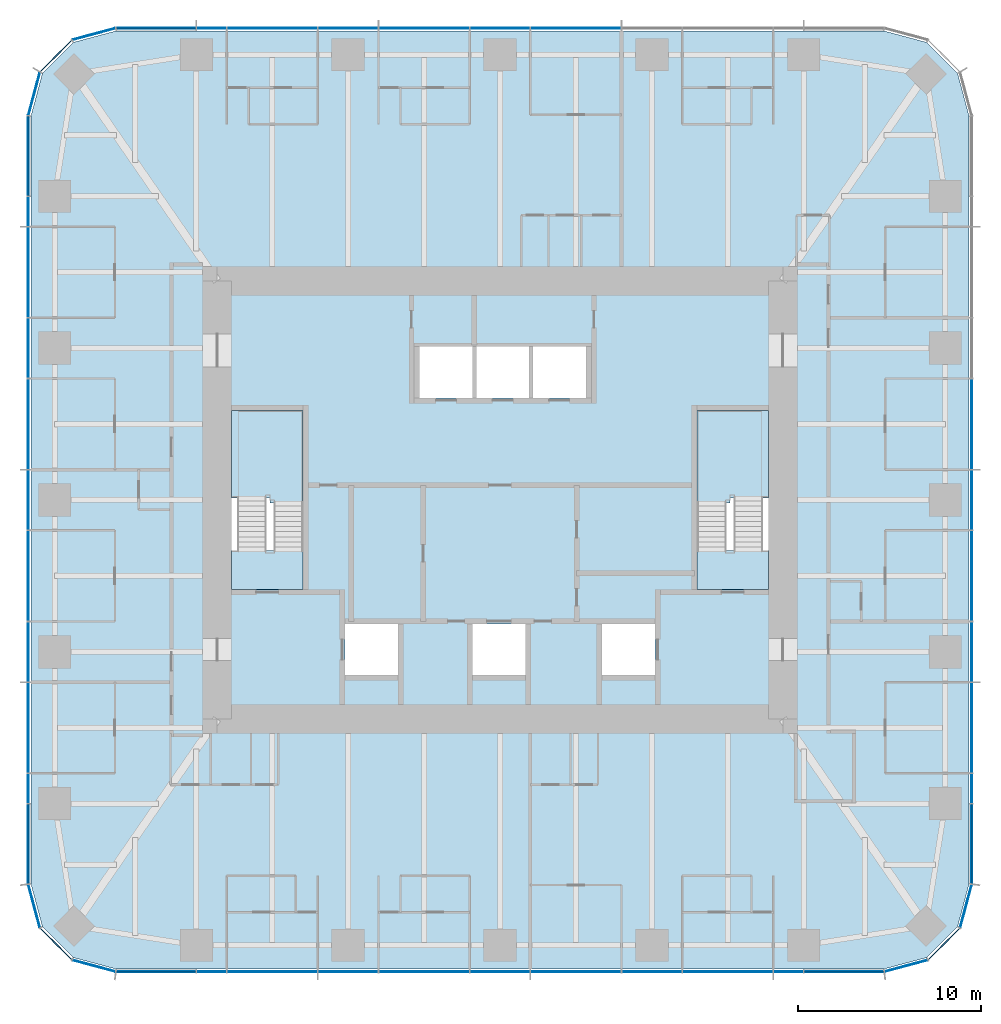
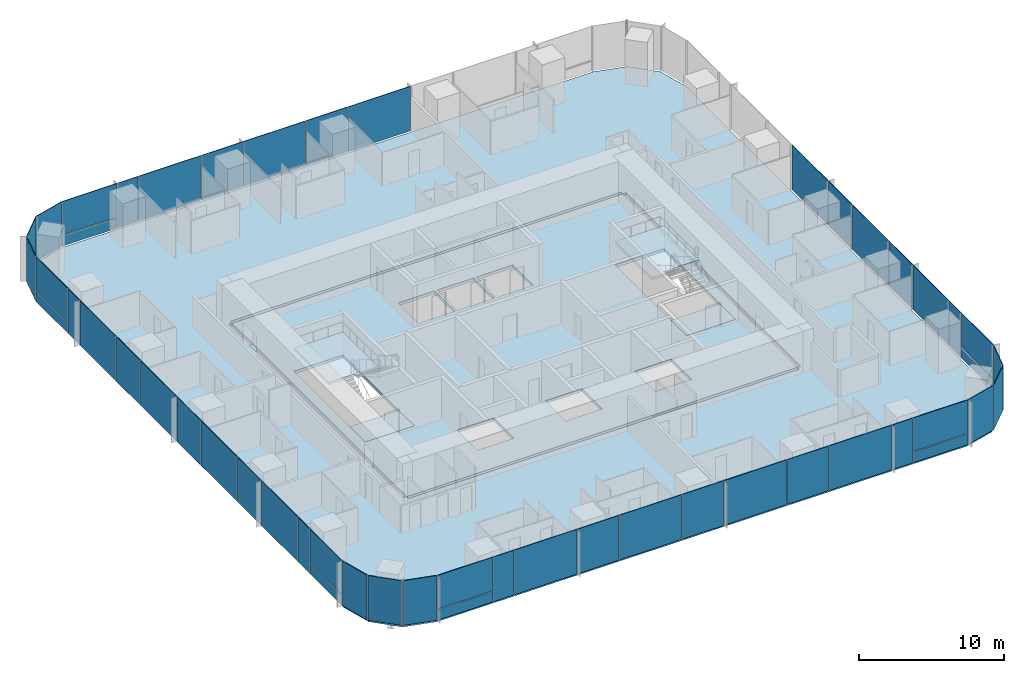
# One storey, part 7 of 13: 51 plates, 6 slabs, 9 elements without a shape of their own.
"""IFC4 building model written with IfcOpenShell, lengths in metres."""

from ifc_helpers import new_model, si_unit, direction, frame, origin, origin_2d, place, context, subcontext, project, spatial, polyline, rectangle, outline, extrude, material, layer, layer_set, type_object, element, aggregate, save


model = new_model("IFC4")

# Units and contexts
model_context = context("Model", 3, precision=1e-05, world=origin(), true_north=direction((0.0, 1.0)))
body_context = subcontext(model_context, "Body", "Model", "MODEL_VIEW")
ifc_project = project(units=[si_unit("LENGTHUNIT", "METRE"), si_unit("AREAUNIT", "SQUARE_METRE"), si_unit("VOLUMEUNIT", "CUBIC_METRE"), si_unit("PLANEANGLEUNIT", "RADIAN"), si_unit("MASSUNIT", "GRAM", prefix="KILO")], contexts=[model_context])

# Site, building, storey
site_placement = place(None, origin())
site = spatial("IfcSite", under=ifc_project, at=site_placement, CompositionType="ELEMENT")
building_placement = place(site_placement, origin())
building = spatial("IfcBuilding", under=site, at=building_placement, Name="Khuree Lantern Residences", CompositionType="ELEMENT")
storey_placement = place(building_placement, frame((0.0, 0.0, 252.0)))
storey = spatial("IfcBuildingStorey", under=building, at=storey_placement, Name="L63", CompositionType="ELEMENT", Elevation=252.0)

# Slab
ifc_material_1 = material(Name="Concrete C35/45", Category="concrete")
ifc_layer_1 = layer(ifc_material_1, 0.25)
ifc_layer_set_1 = layer_set([ifc_layer_1], Name="CFL250 CORE FLOOR SLAB 250")
slab_type_1 = type_object("IfcSlabType", Name="CFL250 CORE FLOOR SLAB 250", PredefinedType="FLOOR", material=ifc_layer_set_1)
slab_1_placement = place(storey_placement, frame((0.0, 0.0, -0.25)))
element("IfcSlab", 1, at=slab_1_placement, inside=storey, type_object=slab_type_1, Name="Core floor L63", PredefinedType="FLOOR", context=body_context, shape_type="SweptSolid", body=[
    extrude(outline(polyline([(-15.5, -12.0), (-15.5, 12.0), (15.5, 12.0), (15.5, -12.0), (-15.5, -12.0)]), holes=[polyline([(10.800048828125, 4.89990234375), (10.800048828125, -4.89990234375), (14.699951171875, -4.89990234375), (14.699951171875, 4.89990234375), (10.800048828125, 4.89990234375)]), polyline([(5.60009765625, -6.800048828125), (5.60009765625, -9.60009765625), (8.5, -9.60009765625), (8.5, -6.800048828125), (5.60009765625, -6.800048828125)]), polyline([(1.800048828125, 8.39990234375), (1.800048828125, 5.60009765625), (4.699951171875, 5.60009765625), (4.699951171875, 8.39990234375), (1.800048828125, 8.39990234375)]), polyline([(-1.300048828125, 8.39990234375), (-1.300048828125, 5.60009765625), (1.60009765625, 5.60009765625), (1.60009765625, 8.39990234375), (-1.300048828125, 8.39990234375)]), polyline([(-1.5, -6.800048828125), (-1.5, -9.60009765625), (1.39990234375, -9.60009765625), (1.39990234375, -6.800048828125), (-1.5, -6.800048828125)]), polyline([(-4.39990234375, 8.39990234375), (-4.39990234375, 5.60009765625), (-1.5, 5.60009765625), (-1.5, 8.39990234375), (-4.39990234375, 8.39990234375)]), polyline([(-8.5, -6.800048828125), (-8.5, -9.60009765625), (-5.60009765625, -9.60009765625), (-5.60009765625, -6.800048828125), (-8.5, -6.800048828125)]), polyline([(-14.699951171875, 4.89990234375), (-14.699951171875, -4.89990234375), (-10.800048828125, -4.89990234375), (-10.800048828125, 4.89990234375), (-14.699951171875, 4.89990234375)])]), origin(), (0.0, 0.0, 1.0), 0.25),
])

# Curtain wall, plates
ifc_material_2 = material(Name="Bronze anodised aluminium", Category="aluminium")
curtain_wall_type_1 = type_object("IfcCurtainWallType", Name="CW-T2 TOWER CORNER CURTAIN WALL", PredefinedType="USERDEFINED", material=ifc_material_2)
curtain_wall_1_placement = place(storey_placement, origin())
curtain_wall_1 = element("IfcCurtainWall", 2, at=curtain_wall_1_placement, inside=storey, type_object=curtain_wall_type_1, Name="L63 SOUTH-EAST CORNER CURTAIN WALL", ObjectType="Faceted corner curtain wall", PredefinedType="USERDEFINED")
ifc_material_3 = material(Name="Bronze tinted triple glazing", Category="glass")
ifc_layer_2 = layer(ifc_material_3, 0.048095703125)
ifc_layer_set_2 = layer_set([ifc_layer_2], Name="FACET PANEL P4")
plate_type_1 = type_object("IfcPlateType", Name="FACET PANEL P4", PredefinedType="CURTAIN_PANEL", material=ifc_layer_set_2)
plate_1_placement = place(storey_placement, frame((22.248046875, -25.529052734375, 0.0), z_axis=(0.0, 0.0, 1.0), x_axis=(0.965925832509, 0.258819021888, 0.0)))
plate_1 = element("IfcPlate", 3, at=plate_1_placement, type_object=plate_type_1, Name="L63 SOUTH-EAST CORNER PANEL 1.1", PredefinedType="CURTAIN_PANEL", context=body_context, shape_type="SweptSolid", body=[
    extrude(rectangle(XDim=2.40869140625, YDim=0.048095703125, at=origin_2d()), origin(), (0.0, 0.0, 1.0), 3.75),
])
plate_2_placement = place(storey_placement, frame((24.328369140625, -24.328369140625, 0.0), z_axis=(0.0, 0.0, 1.0), x_axis=(0.707106781187, 0.707106781187, 0.0)))
plate_2 = element("IfcPlate", 4, at=plate_2_placement, type_object=plate_type_1, Name="L63 SOUTH-EAST CORNER PANEL 2.1", PredefinedType="CURTAIN_PANEL", context=body_context, shape_type="SweptSolid", body=[
    extrude(rectangle(XDim=2.404541015625, YDim=0.048095703125, at=origin_2d()), origin(), (0.0, 0.0, 1.0), 3.75),
])
plate_3_placement = place(storey_placement, frame((25.529052734375, -22.248046875, 0.0), z_axis=(0.0, 0.0, 1.0), x_axis=(0.258819021888, 0.965925832509, 0.0)))
plate_3 = element("IfcPlate", 5, at=plate_3_placement, type_object=plate_type_1, Name="L63 SOUTH-EAST CORNER PANEL 3.1", PredefinedType="CURTAIN_PANEL", context=body_context, shape_type="SweptSolid", body=[
    extrude(rectangle(XDim=2.40869140625, YDim=0.048095703125, at=origin_2d()), origin(), (0.0, 0.0, 1.0), 3.75),
])
aggregate(curtain_wall_1, [plate_1, plate_2, plate_3])

curtain_wall_2_placement = place(storey_placement, origin())
curtain_wall_2 = element("IfcCurtainWall", 6, at=curtain_wall_2_placement, inside=storey, type_object=curtain_wall_type_1, Name="L63 NORTH-WEST CORNER CURTAIN WALL", ObjectType="Faceted corner curtain wall", PredefinedType="USERDEFINED")
plate_4_placement = place(storey_placement, frame((-22.248046875, 25.529052734375, 0.0), z_axis=(0.0, 0.0, 1.0), x_axis=(-0.965925832509, -0.258819021888, 0.0)))
plate_4 = element("IfcPlate", 7, at=plate_4_placement, type_object=plate_type_1, Name="L63 NORTH-WEST CORNER PANEL 29.1", PredefinedType="CURTAIN_PANEL", context=body_context, shape_type="SweptSolid", body=[
    extrude(rectangle(XDim=2.40869140625, YDim=0.048095703125, at=origin_2d()), origin(), (0.0, 0.0, 1.0), 3.75),
])
plate_5_placement = place(storey_placement, frame((-24.328369140625, 24.328369140625, 0.0), z_axis=(0.0, 0.0, 1.0), x_axis=(-0.707106781187, -0.707106781187, 0.0)))
plate_5 = element("IfcPlate", 8, at=plate_5_placement, type_object=plate_type_1, Name="L63 NORTH-WEST CORNER PANEL 30.1", PredefinedType="CURTAIN_PANEL", context=body_context, shape_type="SweptSolid", body=[
    extrude(rectangle(XDim=2.404541015625, YDim=0.048095703125, at=origin_2d()), origin(), (0.0, 0.0, 1.0), 3.75),
])
plate_6_placement = place(storey_placement, frame((-25.529052734375, 22.248046875, 0.0), z_axis=(0.0, 0.0, 1.0), x_axis=(-0.258819021888, -0.965925832509, 0.0)))
plate_6 = element("IfcPlate", 9, at=plate_6_placement, type_object=plate_type_1, Name="L63 NORTH-WEST CORNER PANEL 31.1", PredefinedType="CURTAIN_PANEL", context=body_context, shape_type="SweptSolid", body=[
    extrude(rectangle(XDim=2.40869140625, YDim=0.048095703125, at=origin_2d()), origin(), (0.0, 0.0, 1.0), 3.75),
])
aggregate(curtain_wall_2, [plate_4, plate_5, plate_6])

curtain_wall_3_placement = place(storey_placement, origin())
curtain_wall_3 = element("IfcCurtainWall", 10, at=curtain_wall_3_placement, inside=storey, type_object=curtain_wall_type_1, Name="L63 SOUTH-WEST CORNER CURTAIN WALL", ObjectType="Faceted corner curtain wall", PredefinedType="USERDEFINED")
plate_7_placement = place(storey_placement, frame((-25.529052734375, -22.248046875, 0.0), z_axis=(0.0, 0.0, 1.0), x_axis=(0.258819021888, -0.965925832509, 0.0)))
plate_7 = element("IfcPlate", 11, at=plate_7_placement, type_object=plate_type_1, Name="L63 SOUTH-WEST CORNER PANEL 43.1", PredefinedType="CURTAIN_PANEL", context=body_context, shape_type="SweptSolid", body=[
    extrude(rectangle(XDim=2.40869140625, YDim=0.048095703125, at=origin_2d()), origin(), (0.0, 0.0, 1.0), 3.75),
])
plate_8_placement = place(storey_placement, frame((-24.328369140625, -24.328369140625, 0.0), z_axis=(0.0, 0.0, 1.0), x_axis=(0.707106781187, -0.707106781187, 0.0)))
plate_8 = element("IfcPlate", 12, at=plate_8_placement, type_object=plate_type_1, Name="L63 SOUTH-WEST CORNER PANEL 44.1", PredefinedType="CURTAIN_PANEL", context=body_context, shape_type="SweptSolid", body=[
    extrude(rectangle(XDim=2.404541015625, YDim=0.048095703125, at=origin_2d()), origin(), (0.0, 0.0, 1.0), 3.75),
])
plate_9_placement = place(storey_placement, frame((-22.248046875, -25.529052734375, 0.0), z_axis=(0.0, 0.0, 1.0), x_axis=(0.965925832509, -0.258819021888, 0.0)))
plate_9 = element("IfcPlate", 13, at=plate_9_placement, type_object=plate_type_1, Name="L63 SOUTH-WEST CORNER PANEL 45.1", PredefinedType="CURTAIN_PANEL", context=body_context, shape_type="SweptSolid", body=[
    extrude(rectangle(XDim=2.40869140625, YDim=0.048095703125, at=origin_2d()), origin(), (0.0, 0.0, 1.0), 3.75),
])
aggregate(curtain_wall_3, [plate_7, plate_8, plate_9])

curtain_wall_type_2 = type_object("IfcCurtainWallType", Name="CW-T1 TOWER FACE CURTAIN WALL", PredefinedType="USERDEFINED", material=ifc_material_2)
curtain_wall_4_placement = place(storey_placement, origin())
curtain_wall_4 = element("IfcCurtainWall", 14, at=curtain_wall_4_placement, inside=storey, type_object=curtain_wall_type_2, Name="L63 EAST FACE CURTAIN WALL", ObjectType="Stick-built curtain wall", PredefinedType="USERDEFINED")
ifc_material_4 = material(Name="Bronze tinted triple glazing with a ceramic-fritted spandrel band", Category="glass")
ifc_layer_3 = layer(ifc_material_4, 0.048095703125)
ifc_layer_set_3 = layer_set([ifc_layer_3], Name="FIXED LIGHT PANEL P11")
plate_type_2 = type_object("IfcPlateType", Name="FIXED LIGHT PANEL P11", PredefinedType="CURTAIN_PANEL", material=ifc_layer_set_3)
plate_10_placement = place(storey_placement, frame((25.85009765625, -12.47998046875, 0.0), z_axis=(0.0, 0.0, 1.0), x_axis=(0.0, 1.0, 0.0)))
plate_10 = element("IfcPlate", 15, at=plate_10_placement, type_object=plate_type_2, Name="L63 EAST FACE PANEL 6.1", PredefinedType="CURTAIN_PANEL", context=body_context, shape_type="SweptSolid", body=[
    extrude(rectangle(XDim=4.927001953125, YDim=0.048095703125, at=origin_2d()), origin(), (0.0, 0.0, 1.0), 3.75),
])
plate_11_placement = place(storey_placement, frame((25.85009765625, -4.159912109375, 0.0), z_axis=(0.0, 0.0, 1.0), x_axis=(0.0, 1.0, 0.0)))
plate_11 = element("IfcPlate", 16, at=plate_11_placement, type_object=plate_type_2, Name="L63 EAST FACE PANEL 8.1", PredefinedType="CURTAIN_PANEL", context=body_context, shape_type="SweptSolid", body=[
    extrude(rectangle(XDim=4.927001953125, YDim=0.048095703125, at=origin_2d()), origin(), (0.0, 0.0, 1.0), 3.75),
])
plate_12_placement = place(storey_placement, frame((25.85009765625, 4.159912109375, 0.0), z_axis=(0.0, 0.0, 1.0), x_axis=(0.0, 1.0, 0.0)))
plate_12 = element("IfcPlate", 17, at=plate_12_placement, type_object=plate_type_2, Name="L63 EAST FACE PANEL 10.1", PredefinedType="CURTAIN_PANEL", context=body_context, shape_type="SweptSolid", body=[
    extrude(rectangle(XDim=4.927001953125, YDim=0.048095703125, at=origin_2d()), origin(), (0.0, 0.0, 1.0), 3.75),
])

curtain_wall_5_placement = place(storey_placement, origin())
curtain_wall_5 = element("IfcCurtainWall", 18, at=curtain_wall_5_placement, inside=storey, type_object=curtain_wall_type_2, Name="L63 NORTH FACE CURTAIN WALL", ObjectType="Stick-built curtain wall", PredefinedType="USERDEFINED")
plate_13_placement = place(storey_placement, frame((4.159912109375, 25.85009765625, 0.0), z_axis=(0.0, 0.0, 1.0), x_axis=(-1.0, 0.0, 0.0)))
plate_13 = element("IfcPlate", 19, at=plate_13_placement, type_object=plate_type_2, Name="L63 NORTH FACE PANEL 22.1", PredefinedType="CURTAIN_PANEL", context=body_context, shape_type="SweptSolid", body=[
    extrude(rectangle(XDim=4.927001953125, YDim=0.048095703125, at=origin_2d()), origin(), (0.0, 0.0, 1.0), 3.75),
])
plate_14_placement = place(storey_placement, frame((-4.159912109375, 25.85009765625, 0.0), z_axis=(0.0, 0.0, 1.0), x_axis=(-1.0, 0.0, 0.0)))
plate_14 = element("IfcPlate", 20, at=plate_14_placement, type_object=plate_type_2, Name="L63 NORTH FACE PANEL 24.1", PredefinedType="CURTAIN_PANEL", context=body_context, shape_type="SweptSolid", body=[
    extrude(rectangle(XDim=4.927001953125, YDim=0.048095703125, at=origin_2d()), origin(), (0.0, 0.0, 1.0), 3.75),
])
plate_15_placement = place(storey_placement, frame((-12.47998046875, 25.85009765625, 0.0), z_axis=(0.0, 0.0, 1.0), x_axis=(-1.0, 0.0, 0.0)))
plate_15 = element("IfcPlate", 21, at=plate_15_placement, type_object=plate_type_2, Name="L63 NORTH FACE PANEL 26.1", PredefinedType="CURTAIN_PANEL", context=body_context, shape_type="SweptSolid", body=[
    extrude(rectangle(XDim=4.927001953125, YDim=0.048095703125, at=origin_2d()), origin(), (0.0, 0.0, 1.0), 3.75),
])

curtain_wall_6_placement = place(storey_placement, origin())
curtain_wall_6 = element("IfcCurtainWall", 22, at=curtain_wall_6_placement, inside=storey, type_object=curtain_wall_type_2, Name="L63 WEST FACE CURTAIN WALL", ObjectType="Stick-built curtain wall", PredefinedType="USERDEFINED")
plate_16_placement = place(storey_placement, frame((-25.85009765625, 12.47998046875, 0.0), z_axis=(0.0, 0.0, 1.0), x_axis=(0.0, -1.0, 0.0)))
plate_16 = element("IfcPlate", 23, at=plate_16_placement, type_object=plate_type_2, Name="L63 WEST FACE PANEL 34.1", PredefinedType="CURTAIN_PANEL", context=body_context, shape_type="SweptSolid", body=[
    extrude(rectangle(XDim=4.927001953125, YDim=0.048095703125, at=origin_2d()), origin(), (0.0, 0.0, 1.0), 3.75),
])
plate_17_placement = place(storey_placement, frame((-25.85009765625, 4.159912109375, 0.0), z_axis=(0.0, 0.0, 1.0), x_axis=(0.0, -1.0, 0.0)))
plate_17 = element("IfcPlate", 24, at=plate_17_placement, type_object=plate_type_2, Name="L63 WEST FACE PANEL 36.1", PredefinedType="CURTAIN_PANEL", context=body_context, shape_type="SweptSolid", body=[
    extrude(rectangle(XDim=4.927001953125, YDim=0.048095703125, at=origin_2d()), origin(), (0.0, 0.0, 1.0), 3.75),
])
plate_18_placement = place(storey_placement, frame((-25.85009765625, -4.159912109375, 0.0), z_axis=(0.0, 0.0, 1.0), x_axis=(0.0, -1.0, 0.0)))
plate_18 = element("IfcPlate", 25, at=plate_18_placement, type_object=plate_type_2, Name="L63 WEST FACE PANEL 38.1", PredefinedType="CURTAIN_PANEL", context=body_context, shape_type="SweptSolid", body=[
    extrude(rectangle(XDim=4.927001953125, YDim=0.048095703125, at=origin_2d()), origin(), (0.0, 0.0, 1.0), 3.75),
])
plate_19_placement = place(storey_placement, frame((-25.85009765625, -12.47998046875, 0.0), z_axis=(0.0, 0.0, 1.0), x_axis=(0.0, -1.0, 0.0)))
plate_19 = element("IfcPlate", 26, at=plate_19_placement, type_object=plate_type_2, Name="L63 WEST FACE PANEL 40.1", PredefinedType="CURTAIN_PANEL", context=body_context, shape_type="SweptSolid", body=[
    extrude(rectangle(XDim=4.927001953125, YDim=0.048095703125, at=origin_2d()), origin(), (0.0, 0.0, 1.0), 3.75),
])

curtain_wall_7_placement = place(storey_placement, origin())
curtain_wall_7 = element("IfcCurtainWall", 27, at=curtain_wall_7_placement, inside=storey, type_object=curtain_wall_type_2, Name="L63 SOUTH FACE CURTAIN WALL", ObjectType="Stick-built curtain wall", PredefinedType="USERDEFINED")
plate_20_placement = place(storey_placement, frame((-12.47998046875, -25.85009765625, 0.0), z_axis=(0.0, 0.0, 1.0), x_axis=(1.0, 0.0, 0.0)))
plate_20 = element("IfcPlate", 28, at=plate_20_placement, type_object=plate_type_2, Name="L63 SOUTH FACE PANEL 48.1", PredefinedType="CURTAIN_PANEL", context=body_context, shape_type="SweptSolid", body=[
    extrude(rectangle(XDim=4.927001953125, YDim=0.048095703125, at=origin_2d()), origin(), (0.0, 0.0, 1.0), 3.75),
])
plate_21_placement = place(storey_placement, frame((-4.159912109375, -25.85009765625, 0.0), z_axis=(0.0, 0.0, 1.0), x_axis=(1.0, 0.0, 0.0)))
plate_21 = element("IfcPlate", 29, at=plate_21_placement, type_object=plate_type_2, Name="L63 SOUTH FACE PANEL 50.1", PredefinedType="CURTAIN_PANEL", context=body_context, shape_type="SweptSolid", body=[
    extrude(rectangle(XDim=4.927001953125, YDim=0.048095703125, at=origin_2d()), origin(), (0.0, 0.0, 1.0), 3.75),
])
plate_22_placement = place(storey_placement, frame((4.159912109375, -25.85009765625, 0.0), z_axis=(0.0, 0.0, 1.0), x_axis=(1.0, 0.0, 0.0)))
plate_22 = element("IfcPlate", 30, at=plate_22_placement, type_object=plate_type_2, Name="L63 SOUTH FACE PANEL 52.1", PredefinedType="CURTAIN_PANEL", context=body_context, shape_type="SweptSolid", body=[
    extrude(rectangle(XDim=4.927001953125, YDim=0.048095703125, at=origin_2d()), origin(), (0.0, 0.0, 1.0), 3.75),
])
plate_23_placement = place(storey_placement, frame((12.47998046875, -25.85009765625, 0.0), z_axis=(0.0, 0.0, 1.0), x_axis=(1.0, 0.0, 0.0)))
plate_23 = element("IfcPlate", 31, at=plate_23_placement, type_object=plate_type_2, Name="L63 SOUTH FACE PANEL 54.1", PredefinedType="CURTAIN_PANEL", context=body_context, shape_type="SweptSolid", body=[
    extrude(rectangle(XDim=4.927001953125, YDim=0.048095703125, at=origin_2d()), origin(), (0.0, 0.0, 1.0), 3.75),
])

# Slab
ifc_layer_4 = layer(ifc_material_1, 0.25)
ifc_layer_set_4 = layer_set([ifc_layer_4], Name="FS250 FLOOR SLAB 250")
slab_type_2 = type_object("IfcSlabType", Name="FS250 FLOOR SLAB 250", PredefinedType="FLOOR", material=ifc_layer_set_4)
slab_2_placement = place(storey_placement, frame((0.0, 0.0, -0.25)))
element("IfcSlab", 32, at=slab_2_placement, inside=storey, type_object=slab_type_2, Name="Floor slab L63", PredefinedType="FLOOR", context=body_context, shape_type="SweptSolid", body=[
    extrude(outline(polyline([(-23.375, -25.076904296875), (-25.076904296875, -23.375), (-25.699951171875, -21.050048828125), (-25.699951171875, 21.050048828125), (-25.076904296875, 23.375), (-23.375, 25.076904296875), (-21.050048828125, 25.699951171875), (21.050048828125, 25.699951171875), (23.375, 25.076904296875), (25.076904296875, 23.375), (25.699951171875, 21.050048828125), (25.699951171875, -21.050048828125), (25.076904296875, -23.375), (23.375, -25.076904296875), (21.050048828125, -25.699951171875), (-21.050048828125, -25.699951171875), (-23.375, -25.076904296875)]), holes=[polyline([(15.75, 12.0), (15.5, 12.0), (15.5, 12.25), (-15.5, 12.25), (-15.5, 12.0), (-15.75, 12.0), (-15.75, -12.0), (-15.5, -12.0), (-15.5, -12.25), (15.5, -12.25), (15.5, -12.0), (15.75, -12.0), (15.75, 12.0)])]), origin(), (0.0, 0.0, 1.0), 0.25),
])

# Plate
ifc_material_5 = material(Name="Bronze tinted triple glazing, two aluminium-framed sashes in one frame", Category="aluminium")
ifc_layer_5 = layer(ifc_material_5, 0.048095703125)
ifc_layer_set_5 = layer_set([ifc_layer_5], Name="SASH PAIR PANEL P12")
plate_type_3 = type_object("IfcPlateType", Name="SASH PAIR PANEL P12", PredefinedType="CURTAIN_PANEL", material=ifc_layer_set_5)
plate_24_placement = place(storey_placement, frame((25.85009765625, -8.320068359375, 0.0), z_axis=(0.0, 0.0, 1.0), x_axis=(0.0, 1.0, 0.0)))
plate_24 = element("IfcPlate", 33, at=plate_24_placement, type_object=plate_type_3, Name="L63 EAST FACE PANEL 7.1", PredefinedType="CURTAIN_PANEL", context=body_context, shape_type="SweptSolid", body=[
    extrude(rectangle(XDim=3.262939453125, YDim=0.048095703125, at=origin_2d()), origin(), (0.0, 0.0, 1.0), 3.75),
])

plate_25_placement = place(storey_placement, frame((25.85009765625, 0.0, 0.0), z_axis=(0.0, 0.0, 1.0), x_axis=(0.0, 1.0, 0.0)))
plate_25 = element("IfcPlate", 34, at=plate_25_placement, type_object=plate_type_3, Name="L63 EAST FACE PANEL 9.1", PredefinedType="CURTAIN_PANEL", context=body_context, shape_type="SweptSolid", body=[
    extrude(rectangle(XDim=3.262939453125, YDim=0.048095703125, at=origin_2d()), origin(), (0.0, 0.0, 1.0), 3.75),
])

plate_26_placement = place(storey_placement, frame((0.0, 25.85009765625, 0.0), z_axis=(0.0, 0.0, 1.0), x_axis=(-1.0, 0.0, 0.0)))
plate_26 = element("IfcPlate", 35, at=plate_26_placement, type_object=plate_type_3, Name="L63 NORTH FACE PANEL 23.1", PredefinedType="CURTAIN_PANEL", context=body_context, shape_type="SweptSolid", body=[
    extrude(rectangle(XDim=3.262939453125, YDim=0.048095703125, at=origin_2d()), origin(), (0.0, 0.0, 1.0), 3.75),
])

plate_27_placement = place(storey_placement, frame((-8.320068359375, 25.85009765625, 0.0), z_axis=(0.0, 0.0, 1.0), x_axis=(-1.0, 0.0, 0.0)))
plate_27 = element("IfcPlate", 36, at=plate_27_placement, type_object=plate_type_3, Name="L63 NORTH FACE PANEL 25.1", PredefinedType="CURTAIN_PANEL", context=body_context, shape_type="SweptSolid", body=[
    extrude(rectangle(XDim=3.262939453125, YDim=0.048095703125, at=origin_2d()), origin(), (0.0, 0.0, 1.0), 3.75),
])

plate_28_placement = place(storey_placement, frame((-25.85009765625, 8.320068359375, 0.0), z_axis=(0.0, 0.0, 1.0), x_axis=(0.0, -1.0, 0.0)))
plate_28 = element("IfcPlate", 37, at=plate_28_placement, type_object=plate_type_3, Name="L63 WEST FACE PANEL 35.1", PredefinedType="CURTAIN_PANEL", context=body_context, shape_type="SweptSolid", body=[
    extrude(rectangle(XDim=3.262939453125, YDim=0.048095703125, at=origin_2d()), origin(), (0.0, 0.0, 1.0), 3.75),
])

plate_29_placement = place(storey_placement, frame((-25.85009765625, 0.0, 0.0), z_axis=(0.0, 0.0, 1.0), x_axis=(0.0, -1.0, 0.0)))
plate_29 = element("IfcPlate", 38, at=plate_29_placement, type_object=plate_type_3, Name="L63 WEST FACE PANEL 37.1", PredefinedType="CURTAIN_PANEL", context=body_context, shape_type="SweptSolid", body=[
    extrude(rectangle(XDim=3.262939453125, YDim=0.048095703125, at=origin_2d()), origin(), (0.0, 0.0, 1.0), 3.75),
])

plate_30_placement = place(storey_placement, frame((-25.85009765625, -8.320068359375, 0.0), z_axis=(0.0, 0.0, 1.0), x_axis=(0.0, -1.0, 0.0)))
plate_30 = element("IfcPlate", 39, at=plate_30_placement, type_object=plate_type_3, Name="L63 WEST FACE PANEL 39.1", PredefinedType="CURTAIN_PANEL", context=body_context, shape_type="SweptSolid", body=[
    extrude(rectangle(XDim=3.262939453125, YDim=0.048095703125, at=origin_2d()), origin(), (0.0, 0.0, 1.0), 3.75),
])

plate_31_placement = place(storey_placement, frame((-8.320068359375, -25.85009765625, 0.0), z_axis=(0.0, 0.0, 1.0), x_axis=(1.0, 0.0, 0.0)))
plate_31 = element("IfcPlate", 40, at=plate_31_placement, type_object=plate_type_3, Name="L63 SOUTH FACE PANEL 49.1", PredefinedType="CURTAIN_PANEL", context=body_context, shape_type="SweptSolid", body=[
    extrude(rectangle(XDim=3.262939453125, YDim=0.048095703125, at=origin_2d()), origin(), (0.0, 0.0, 1.0), 3.75),
])

plate_32_placement = place(storey_placement, frame((0.0, -25.85009765625, 0.0), z_axis=(0.0, 0.0, 1.0), x_axis=(1.0, 0.0, 0.0)))
plate_32 = element("IfcPlate", 41, at=plate_32_placement, type_object=plate_type_3, Name="L63 SOUTH FACE PANEL 51.1", PredefinedType="CURTAIN_PANEL", context=body_context, shape_type="SweptSolid", body=[
    extrude(rectangle(XDim=3.262939453125, YDim=0.048095703125, at=origin_2d()), origin(), (0.0, 0.0, 1.0), 3.75),
])

plate_33_placement = place(storey_placement, frame((8.320068359375, -25.85009765625, 0.0), z_axis=(0.0, 0.0, 1.0), x_axis=(1.0, 0.0, 0.0)))
plate_33 = element("IfcPlate", 42, at=plate_33_placement, type_object=plate_type_3, Name="L63 SOUTH FACE PANEL 53.1", PredefinedType="CURTAIN_PANEL", context=body_context, shape_type="SweptSolid", body=[
    extrude(rectangle(XDim=3.262939453125, YDim=0.048095703125, at=origin_2d()), origin(), (0.0, 0.0, 1.0), 3.75),
])

ifc_material_6 = material(Name="Bronze tinted triple glazing, aluminium-framed sash", Category="aluminium")
ifc_layer_6 = layer(ifc_material_6, 0.048095703125)
ifc_layer_set_6 = layer_set([ifc_layer_6], Name="SASH PANEL P3")
plate_type_4 = type_object("IfcPlateType", Name="SASH PANEL P3", PredefinedType="CURTAIN_PANEL", material=ifc_layer_set_6)
plate_34_placement = place(storey_placement, frame((25.85009765625, -15.80810546875, 0.0), z_axis=(0.0, 0.0, 1.0), x_axis=(0.0, 1.0, 0.0)))
plate_34 = element("IfcPlate", 43, at=plate_34_placement, type_object=plate_type_4, Name="L63 EAST FACE PANEL 5.1", PredefinedType="CURTAIN_PANEL", context=body_context, shape_type="SweptSolid", body=[
    extrude(rectangle(XDim=1.59912109375, YDim=0.048095703125, at=origin_2d()), origin(), (0.0, 0.0, 1.0), 3.75),
])

plate_35_placement = place(storey_placement, frame((-15.80810546875, 25.85009765625, 0.0), z_axis=(0.0, 0.0, 1.0), x_axis=(-1.0, 0.0, 0.0)))
plate_35 = element("IfcPlate", 44, at=plate_35_placement, type_object=plate_type_4, Name="L63 NORTH FACE PANEL 27.1", PredefinedType="CURTAIN_PANEL", context=body_context, shape_type="SweptSolid", body=[
    extrude(rectangle(XDim=1.59912109375, YDim=0.048095703125, at=origin_2d()), origin(), (0.0, 0.0, 1.0), 3.75),
])

plate_36_placement = place(storey_placement, frame((-25.85009765625, 15.80810546875, 0.0), z_axis=(0.0, 0.0, 1.0), x_axis=(0.0, -1.0, 0.0)))
plate_36 = element("IfcPlate", 45, at=plate_36_placement, type_object=plate_type_4, Name="L63 WEST FACE PANEL 33.1", PredefinedType="CURTAIN_PANEL", context=body_context, shape_type="SweptSolid", body=[
    extrude(rectangle(XDim=1.59912109375, YDim=0.048095703125, at=origin_2d()), origin(), (0.0, 0.0, 1.0), 3.75),
])

plate_37_placement = place(storey_placement, frame((-25.85009765625, -15.80810546875, 0.0), z_axis=(0.0, 0.0, 1.0), x_axis=(0.0, -1.0, 0.0)))
plate_37 = element("IfcPlate", 46, at=plate_37_placement, type_object=plate_type_4, Name="L63 WEST FACE PANEL 41.1", PredefinedType="CURTAIN_PANEL", context=body_context, shape_type="SweptSolid", body=[
    extrude(rectangle(XDim=1.59912109375, YDim=0.048095703125, at=origin_2d()), origin(), (0.0, 0.0, 1.0), 3.75),
])

plate_38_placement = place(storey_placement, frame((-15.80810546875, -25.85009765625, 0.0), z_axis=(0.0, 0.0, 1.0), x_axis=(1.0, 0.0, 0.0)))
plate_38 = element("IfcPlate", 47, at=plate_38_placement, type_object=plate_type_4, Name="L63 SOUTH FACE PANEL 47.1", PredefinedType="CURTAIN_PANEL", context=body_context, shape_type="SweptSolid", body=[
    extrude(rectangle(XDim=1.59912109375, YDim=0.048095703125, at=origin_2d()), origin(), (0.0, 0.0, 1.0), 3.75),
])

plate_39_placement = place(storey_placement, frame((15.80810546875, -25.85009765625, 0.0), z_axis=(0.0, 0.0, 1.0), x_axis=(1.0, 0.0, 0.0)))
plate_39 = element("IfcPlate", 48, at=plate_39_placement, type_object=plate_type_4, Name="L63 SOUTH FACE PANEL 55.1", PredefinedType="CURTAIN_PANEL", context=body_context, shape_type="SweptSolid", body=[
    extrude(rectangle(XDim=1.59912109375, YDim=0.048095703125, at=origin_2d()), origin(), (0.0, 0.0, 1.0), 3.75),
])

ifc_material_7 = material(Name="Bronze anodised aluminium insulated spandrel", Category="aluminium")
ifc_layer_7 = layer(ifc_material_7, 0.06005859375)
ifc_layer_set_7 = layer_set([ifc_layer_7], Name="SPANDREL PANEL P2")
plate_type_5 = type_object("IfcPlateType", Name="SPANDREL PANEL P2", PredefinedType="CURTAIN_PANEL", material=ifc_layer_set_7)
plate_40_placement = place(storey_placement, frame((25.85009765625, -18.8427734375, 0.0), z_axis=(0.0, 0.0, 1.0), x_axis=(0.0, 1.0, 0.0)))
plate_40 = element("IfcPlate", 49, at=plate_40_placement, type_object=plate_type_5, Name="L63 EAST FACE PANEL 4.1", PredefinedType="CURTAIN_PANEL", context=body_context, shape_type="SweptSolid", body=[
    extrude(rectangle(XDim=4.3408203125, YDim=0.06005859375, at=origin_2d()), origin(), (0.0, 0.0, 1.0), 0.867431640625),
])

plate_41_placement = place(storey_placement, frame((-18.8427734375, 25.85009765625, 0.0), z_axis=(0.0, 0.0, 1.0), x_axis=(-1.0, 0.0, 0.0)))
plate_41 = element("IfcPlate", 50, at=plate_41_placement, type_object=plate_type_5, Name="L63 NORTH FACE PANEL 28.1", PredefinedType="CURTAIN_PANEL", context=body_context, shape_type="SweptSolid", body=[
    extrude(rectangle(XDim=4.3408203125, YDim=0.06005859375, at=origin_2d()), origin(), (0.0, 0.0, 1.0), 0.867431640625),
])

plate_42_placement = place(storey_placement, frame((-25.85009765625, 18.8427734375, 0.0), z_axis=(0.0, 0.0, 1.0), x_axis=(0.0, -1.0, 0.0)))
plate_42 = element("IfcPlate", 51, at=plate_42_placement, type_object=plate_type_5, Name="L63 WEST FACE PANEL 32.1", PredefinedType="CURTAIN_PANEL", context=body_context, shape_type="SweptSolid", body=[
    extrude(rectangle(XDim=4.3408203125, YDim=0.06005859375, at=origin_2d()), origin(), (0.0, 0.0, 1.0), 0.867431640625),
])

plate_43_placement = place(storey_placement, frame((-25.85009765625, -18.8427734375, 0.0), z_axis=(0.0, 0.0, 1.0), x_axis=(0.0, -1.0, 0.0)))
plate_43 = element("IfcPlate", 52, at=plate_43_placement, type_object=plate_type_5, Name="L63 WEST FACE PANEL 42.1", PredefinedType="CURTAIN_PANEL", context=body_context, shape_type="SweptSolid", body=[
    extrude(rectangle(XDim=4.3408203125, YDim=0.06005859375, at=origin_2d()), origin(), (0.0, 0.0, 1.0), 0.867431640625),
])

plate_44_placement = place(storey_placement, frame((-18.8427734375, -25.85009765625, 0.0), z_axis=(0.0, 0.0, 1.0), x_axis=(1.0, 0.0, 0.0)))
plate_44 = element("IfcPlate", 53, at=plate_44_placement, type_object=plate_type_5, Name="L63 SOUTH FACE PANEL 46.1", PredefinedType="CURTAIN_PANEL", context=body_context, shape_type="SweptSolid", body=[
    extrude(rectangle(XDim=4.3408203125, YDim=0.06005859375, at=origin_2d()), origin(), (0.0, 0.0, 1.0), 0.867431640625),
])

plate_45_placement = place(storey_placement, frame((18.8427734375, -25.85009765625, 0.0), z_axis=(0.0, 0.0, 1.0), x_axis=(1.0, 0.0, 0.0)))
plate_45 = element("IfcPlate", 54, at=plate_45_placement, type_object=plate_type_5, Name="L63 SOUTH FACE PANEL 56.1", PredefinedType="CURTAIN_PANEL", context=body_context, shape_type="SweptSolid", body=[
    extrude(rectangle(XDim=4.3408203125, YDim=0.06005859375, at=origin_2d()), origin(), (0.0, 0.0, 1.0), 0.867431640625),
])

# Stair, slabs
ifc_material_8 = material(Name="Concrete C40/50", Category="concrete")
stair_type = type_object("IfcStairType", Name="STAIR ST1 HALF TURN 3600", PredefinedType="HALF_TURN_STAIR", material=ifc_material_8)
stair_1_placement = place(storey_placement, origin())
stair_1 = element("IfcStair", 55, at=stair_1_placement, inside=storey, type_object=stair_type, Name="Stair ST1", PredefinedType="HALF_TURN_STAIR")
ifc_layer_8 = layer(ifc_material_8, 0.199951171875)
ifc_layer_set_8 = layer_set([ifc_layer_8], Name="STAIR LANDING SL1 200")
slab_type_3 = type_object("IfcSlabType", Name="STAIR LANDING SL1 200", PredefinedType="LANDING", material=ifc_layer_set_8)
slab_3_placement = place(storey_placement, frame((0.0, 0.0, -0.199951171875)))
slab_3 = element("IfcSlab", 56, at=slab_3_placement, type_object=slab_type_3, Name="ST1 landing 1", PredefinedType="LANDING", context=body_context, shape_type="SweptSolid", body=[
    extrude(outline(polyline([(-14.699951171875, -4.89990234375), (-10.800048828125, -4.89990234375), (-10.800048828125, -2.760009765625), (-14.699951171875, -2.760009765625), (-14.699951171875, -4.89990234375)])), origin(), (0.0, 0.0, 1.0), 0.199951171875),
])
slab_4_placement = place(storey_placement, frame((0.0, 0.0, 1.756591796875)))
slab_4 = element("IfcSlab", 57, at=slab_4_placement, type_object=slab_type_3, Name="ST1 landing 2", PredefinedType="LANDING", context=body_context, shape_type="SweptSolid", body=[
    extrude(outline(polyline([(-14.699951171875, 0.1201171875), (-14.699951171875, 4.89990234375), (-10.800048828125, 4.89990234375), (-10.800048828125, -0.159912109375), (-12.60009765625, -0.159912109375), (-12.60009765625, 0.1201171875), (-14.699951171875, 0.1201171875)])), origin(), (0.0, 0.0, 1.0), 0.199951171875),
])
aggregate(stair_1, [slab_3, slab_4])

stair_2_placement = place(storey_placement, origin())
stair_2 = element("IfcStair", 58, at=stair_2_placement, inside=storey, type_object=stair_type, Name="Stair ST2", PredefinedType="HALF_TURN_STAIR")
slab_5_placement = place(storey_placement, frame((0.0, 0.0, -0.199951171875)))
slab_5 = element("IfcSlab", 59, at=slab_5_placement, type_object=slab_type_3, Name="ST2 landing 1", PredefinedType="LANDING", context=body_context, shape_type="SweptSolid", body=[
    extrude(outline(polyline([(10.800048828125, -4.89990234375), (14.699951171875, -4.89990234375), (14.699951171875, -2.760009765625), (10.800048828125, -2.760009765625), (10.800048828125, -4.89990234375)])), origin(), (0.0, 0.0, 1.0), 0.199951171875),
])
slab_6_placement = place(storey_placement, frame((0.0, 0.0, 1.756591796875)))
slab_6 = element("IfcSlab", 60, at=slab_6_placement, type_object=slab_type_3, Name="ST2 landing 2", PredefinedType="LANDING", context=body_context, shape_type="SweptSolid", body=[
    extrude(outline(polyline([(14.699951171875, 4.89990234375), (14.699951171875, 0.1201171875), (12.60009765625, 0.1201171875), (12.60009765625, -0.159912109375), (10.800048828125, -0.159912109375), (10.800048828125, 4.89990234375), (14.699951171875, 4.89990234375)])), origin(), (0.0, 0.0, 1.0), 0.199951171875),
])
aggregate(stair_2, [slab_5, slab_6])

# Plate
ifc_layer_9 = layer(ifc_material_3, 0.048095703125)
ifc_layer_set_9 = layer_set([ifc_layer_9], Name="VISION PANEL P1")
plate_type_6 = type_object("IfcPlateType", Name="VISION PANEL P1", PredefinedType="CURTAIN_PANEL", material=ifc_layer_set_9)
plate_46_placement = place(storey_placement, frame((25.85009765625, -18.84326171875, 0.9326171875), z_axis=(0.0, 0.0, 1.0), x_axis=(0.0, 1.0, 0.0)))
plate_46 = element("IfcPlate", 61, at=plate_46_placement, type_object=plate_type_6, Name="L63 EAST FACE PANEL 4.2", PredefinedType="CURTAIN_PANEL", context=body_context, shape_type="SweptSolid", body=[
    extrude(rectangle(XDim=4.341552734375, YDim=0.048095703125, at=origin_2d()), origin(), (0.0, 0.0, 1.0), 2.8173828125),
])

aggregate(curtain_wall_4, [plate_40, plate_46, plate_34, plate_10, plate_24, plate_11, plate_25, plate_12])

plate_47_placement = place(storey_placement, frame((-18.84326171875, 25.85009765625, 0.9326171875), z_axis=(0.0, 0.0, 1.0), x_axis=(-1.0, 0.0, 0.0)))
plate_47 = element("IfcPlate", 62, at=plate_47_placement, type_object=plate_type_6, Name="L63 NORTH FACE PANEL 28.2", PredefinedType="CURTAIN_PANEL", context=body_context, shape_type="SweptSolid", body=[
    extrude(rectangle(XDim=4.341552734375, YDim=0.048095703125, at=origin_2d()), origin(), (0.0, 0.0, 1.0), 2.8173828125),
])

aggregate(curtain_wall_5, [plate_13, plate_26, plate_14, plate_27, plate_15, plate_35, plate_41, plate_47])

plate_48_placement = place(storey_placement, frame((-25.85009765625, 18.84326171875, 0.9326171875), z_axis=(0.0, 0.0, 1.0), x_axis=(0.0, -1.0, 0.0)))
plate_48 = element("IfcPlate", 63, at=plate_48_placement, type_object=plate_type_6, Name="L63 WEST FACE PANEL 32.2", PredefinedType="CURTAIN_PANEL", context=body_context, shape_type="SweptSolid", body=[
    extrude(rectangle(XDim=4.341552734375, YDim=0.048095703125, at=origin_2d()), origin(), (0.0, 0.0, 1.0), 2.8173828125),
])

plate_49_placement = place(storey_placement, frame((-25.85009765625, -18.84326171875, 0.9326171875), z_axis=(0.0, 0.0, 1.0), x_axis=(0.0, -1.0, 0.0)))
plate_49 = element("IfcPlate", 64, at=plate_49_placement, type_object=plate_type_6, Name="L63 WEST FACE PANEL 42.2", PredefinedType="CURTAIN_PANEL", context=body_context, shape_type="SweptSolid", body=[
    extrude(rectangle(XDim=4.341552734375, YDim=0.048095703125, at=origin_2d()), origin(), (0.0, 0.0, 1.0), 2.8173828125),
])

aggregate(curtain_wall_6, [plate_42, plate_48, plate_36, plate_16, plate_28, plate_17, plate_29, plate_18, plate_30, plate_19, plate_37, plate_43, plate_49])

plate_50_placement = place(storey_placement, frame((-18.84326171875, -25.85009765625, 0.9326171875), z_axis=(0.0, 0.0, 1.0), x_axis=(1.0, 0.0, 0.0)))
plate_50 = element("IfcPlate", 65, at=plate_50_placement, type_object=plate_type_6, Name="L63 SOUTH FACE PANEL 46.2", PredefinedType="CURTAIN_PANEL", context=body_context, shape_type="SweptSolid", body=[
    extrude(rectangle(XDim=4.341552734375, YDim=0.048095703125, at=origin_2d()), origin(), (0.0, 0.0, 1.0), 2.8173828125),
])

plate_51_placement = place(storey_placement, frame((18.84326171875, -25.85009765625, 0.9326171875), z_axis=(0.0, 0.0, 1.0), x_axis=(1.0, 0.0, 0.0)))
plate_51 = element("IfcPlate", 66, at=plate_51_placement, type_object=plate_type_6, Name="L63 SOUTH FACE PANEL 56.2", PredefinedType="CURTAIN_PANEL", context=body_context, shape_type="SweptSolid", body=[
    extrude(rectangle(XDim=4.341552734375, YDim=0.048095703125, at=origin_2d()), origin(), (0.0, 0.0, 1.0), 2.8173828125),
])

aggregate(curtain_wall_7, [plate_44, plate_50, plate_38, plate_20, plate_31, plate_21, plate_32, plate_22, plate_33, plate_23, plate_39, plate_45, plate_51])

save(model, "model.ifc")
